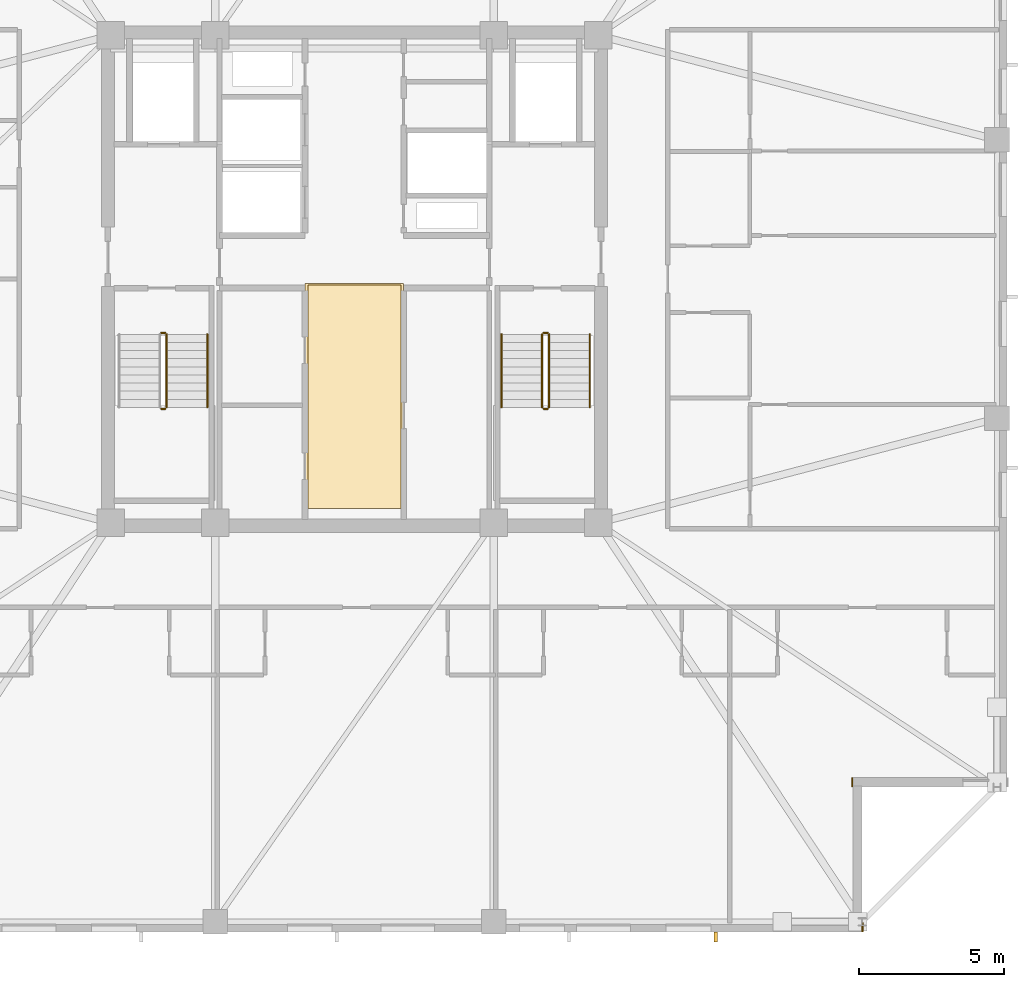
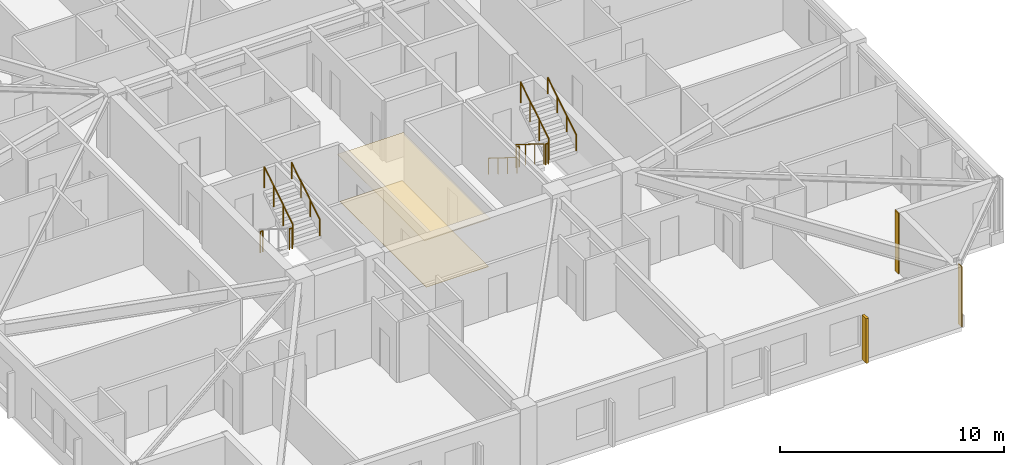
# One storey, part 14 of 17: 10 railings, 4 coverings, 1 shading device.
"""IFC4 building model written with IfcOpenShell, lengths in metres."""

from ifc_helpers import new_model, si_unit, direction, frame, frame_2d, origin, origin_2d, place, context, subcontext, project, spatial, polyline, rectangle, circle, outline, extrude, material, layer, layer_set, type_object, element, save


model = new_model("IFC4")

# Units and contexts
model_context = context("Model", 3, precision=1e-05, world=origin(), true_north=direction((0.0, 1.0)))
body_context = subcontext(model_context, "Body", "Model", "MODEL_VIEW")
ifc_project = project(units=[si_unit("LENGTHUNIT", "METRE"), si_unit("AREAUNIT", "SQUARE_METRE"), si_unit("VOLUMEUNIT", "CUBIC_METRE"), si_unit("PLANEANGLEUNIT", "RADIAN"), si_unit("MASSUNIT", "GRAM", prefix="KILO")], contexts=[model_context])

# Site, building, storey
site_placement = place(None, origin())
site = spatial("IfcSite", under=ifc_project, at=site_placement, CompositionType="ELEMENT")
building_placement = place(site_placement, origin())
building = spatial("IfcBuilding", under=site, at=building_placement, Name="Cairnveth Concourse Tower", CompositionType="ELEMENT")
storey_placement = place(building_placement, frame((0.0, 0.0, 213.0)))
storey = spatial("IfcBuildingStorey", under=building, at=storey_placement, Name="L58", CompositionType="ELEMENT", Elevation=213.0)

# Coverings
ifc_material_1 = material(Name="Acoustic Mineral Fibre Ceiling", Category="gypsum")
ifc_layer_1 = layer(ifc_material_1, 0.02490234375)
ifc_layer_set_1 = layer_set([ifc_layer_1], Name="Acoustic Mineral Fibre Ceiling")
covering_type_1 = type_object("IfcCoveringType", Name="ACOUSTIC MINERAL FIBRE CEILING 25", PredefinedType="CEILING", material=ifc_layer_set_1)
covering_1_placement = place(storey_placement, frame((0.0, 0.0, 2.55810546875)))
element("IfcCovering", 1, at=covering_1_placement, inside=storey, type_object=covering_type_1, Name="Lift Lobby Acoustic Ceiling L58", PredefinedType="CEILING", context=body_context, shape_type="SweptSolid", body=[
    extrude(outline(polyline([(50.300048828125, 31.10009765625), (53.699951171875, 31.10009765625), (53.699951171875, 38.85009765625), (50.300048828125, 38.85009765625), (50.300048828125, 31.10009765625)])), origin(), (0.0, 0.0, 1.0), 0.02490234375),
])
ifc_material_2 = material(Name="Dressed Melbourne Bluestone Cladding", Category="masonry")
ifc_layer_2 = layer(ifc_material_2, 0.050048828125)
ifc_layer_set_2 = layer_set([ifc_layer_2], Name="Dressed Melbourne Bluestone Cladding")
covering_type_2 = type_object("IfcCoveringType", Name="DRESSED BLUESTONE PLINTH CLADDING 50", PredefinedType="CLADDING", material=ifc_layer_set_2)
for number, where, z_axis, x_axis, name in (
    (2, (69.159912109375, 21.820068359375, 0.0), (0.0, 0.0, 1.0), (0.0, -1.0, 0.0), "Melbourne Bluestone Corner Quoin L58-868"),
    (3, (69.52001953125, 16.820068359375, 0.0), (0.0, 0.0, 1.0), (0.0, -1.0, 0.0), "Melbourne Bluestone Corner Quoin L58-869"),
):
    element("IfcCovering", number, at=place(storey_placement, frame(where, z_axis=z_axis, x_axis=x_axis)), inside=storey, type_object=covering_type_2, Name=name, PredefinedType="CLADDING", context=body_context, shape_type="SweptSolid", body=[
        extrude(rectangle(XDim=0.320068359375, YDim=0.050048828125, at=frame_2d((0.16015625, 0.0))), origin(), (0.0, 0.0, 1.0), 3.2900390625),
    ])

# Shading device
ifc_material_3 = material(Name="Architectural Bronze Anodised Aluminium 6063-T6", Category="aluminium")
shading_device_type = type_object("IfcShadingDeviceType", Name="GOTHIC BRONZE VERTICAL LANCET FIN", PredefinedType="USERDEFINED", material=ifc_material_3)
shading_device_placement = place(storey_placement, frame((64.447509765625, 16.324951171875, 0.030029296875), z_axis=(0.0, 0.0, 1.0), x_axis=(1.0, 0.0, 0.0)))
element("IfcShadingDevice", 4, at=shading_device_placement, inside=storey, type_object=shading_device_type, Name="Gothic Bronze Vertical Fin L58-6-1", ObjectType="VERTICAL FIN", PredefinedType="USERDEFINED", context=body_context, shape_type="SweptSolid", body=[
    extrude(rectangle(XDim=0.1201171875, YDim=0.360107421875, at=origin_2d()), origin(), (0.0, 0.0, 1.0), 2.43798828125),
])

# Railings
ifc_material_4 = material(Name="Steel Grade 350", Category="steel")
railing_type_1 = type_object("IfcRailingType", Name="STAIR GUARDRAIL 1150", PredefinedType="GUARDRAIL", material=ifc_material_4)
railing_1_placement = place(storey_placement, frame((45.340087890625, 34.530029296875, 1.75)))
element("IfcRailing", 5, at=railing_1_placement, inside=storey, type_object=railing_type_1, Name="L58 ST-1 stair guard 2", PredefinedType="GUARDRAIL", context=body_context, shape_type="SweptSolid", body=[
    extrude(circle(Radius=0.02392578125, at=origin_2d()), frame((0.0, 0.0, 1.1259765625), z_axis=(1.0, 0.0, 0.0), x_axis=(0.0, 1.0, 0.0)), (0.0, 0.0, 1.0), 0.139892578125),
    extrude(circle(Radius=0.02099609375, at=origin_2d()), origin(), (0.0, 0.0, 1.0), 1.101806640625),
    extrude(circle(Radius=0.02099609375, at=origin_2d()), frame((0.139892578125, 0.0, 0.0)), (0.0, 0.0, 1.0), 1.101806640625),
])
railing_2_placement = place(storey_placement, frame((45.530029296875, 34.580078125, 1.925048828125)))
element("IfcRailing", 6, at=railing_2_placement, inside=storey, type_object=railing_type_1, Name="L58 ST-1 stair guard 3", PredefinedType="GUARDRAIL", context=body_context, shape_type="SweptSolid", body=[
    extrude(circle(Radius=0.02392578125, at=origin_2d()), frame((0.0, 0.0, 1.1259765625), z_axis=(0.0, 0.848007534815, 0.529984170421), x_axis=(-1.0, 0.0, 0.0)), (0.0, 0.0, 1.0), 2.9716796875),
    extrude(circle(Radius=0.02099609375, at=origin_2d()), origin(), (0.0, 0.0, 1.0), 1.101806640625),
    extrude(circle(Radius=0.02099609375, at=origin_2d()), frame((0.0, 0.840087890625, 0.52490234375)), (0.0, 0.0, 1.0), 1.101806640625),
    extrude(circle(Radius=0.02099609375, at=origin_2d()), frame((0.0, 1.679931640625, 1.050048828125)), (0.0, 0.0, 1.0), 1.101806640625),
    extrude(circle(Radius=0.02099609375, at=origin_2d()), frame((0.0, 2.52001953125, 1.574951171875)), (0.0, 0.0, 1.0), 1.101806640625),
])
railing_3_placement = place(storey_placement, frame((45.340087890625, 37.14990234375, 0.0)))
element("IfcRailing", 7, at=railing_3_placement, inside=storey, type_object=railing_type_1, Name="L58 ST-1 stair guard 4", PredefinedType="GUARDRAIL", context=body_context, shape_type="SweptSolid", body=[
    extrude(circle(Radius=0.02392578125, at=origin_2d()), frame((0.0, 0.0, 1.1259765625), z_axis=(1.0, 0.0, 0.0), x_axis=(0.0, 1.0, 0.0)), (0.0, 0.0, 1.0), 0.139892578125),
    extrude(circle(Radius=0.02099609375, at=origin_2d()), origin(), (0.0, 0.0, 1.0), 1.101806640625),
    extrude(circle(Radius=0.02099609375, at=origin_2d()), frame((0.139892578125, 0.0, 0.0)), (0.0, 0.0, 1.0), 1.101806640625),
])
railing_4_placement = place(storey_placement, frame((58.469970703125, 37.10009765625, 0.175048828125)))
element("IfcRailing", 8, at=railing_4_placement, inside=storey, type_object=railing_type_1, Name="L58 ST-2 stair guard 1", PredefinedType="GUARDRAIL", context=body_context, shape_type="SweptSolid", body=[
    extrude(circle(Radius=0.02392578125, at=origin_2d()), frame((0.0, 0.0, 1.1259765625), z_axis=(0.0, -0.848007534815, 0.529984170421), x_axis=(1.0, 0.0, 0.0)), (0.0, 0.0, 1.0), 2.9716796875),
    extrude(circle(Radius=0.02099609375, at=origin_2d()), origin(), (0.0, 0.0, 1.0), 1.101806640625),
    extrude(circle(Radius=0.02099609375, at=origin_2d()), frame((0.0, -0.840087890625, 0.52490234375)), (0.0, 0.0, 1.0), 1.101806640625),
    extrude(circle(Radius=0.02099609375, at=origin_2d()), frame((0.0, -1.679931640625, 1.050048828125)), (0.0, 0.0, 1.0), 1.101806640625),
    extrude(circle(Radius=0.02099609375, at=origin_2d()), frame((0.0, -2.52001953125, 1.574951171875)), (0.0, 0.0, 1.0), 1.101806640625),
])
railing_5_placement = place(storey_placement, frame((58.52001953125, 34.530029296875, 1.75)))
element("IfcRailing", 9, at=railing_5_placement, inside=storey, type_object=railing_type_1, Name="L58 ST-2 stair guard 2", PredefinedType="GUARDRAIL", context=body_context, shape_type="SweptSolid", body=[
    extrude(circle(Radius=0.02392578125, at=origin_2d()), frame((0.0, 0.0, 1.1259765625), z_axis=(1.0, 0.0, 0.0), x_axis=(0.0, 1.0, 0.0)), (0.0, 0.0, 1.0), 0.139892578125),
    extrude(circle(Radius=0.02099609375, at=origin_2d()), origin(), (0.0, 0.0, 1.0), 1.101806640625),
    extrude(circle(Radius=0.02099609375, at=origin_2d()), frame((0.139892578125, 0.0, 0.0)), (0.0, 0.0, 1.0), 1.101806640625),
])
railing_6_placement = place(storey_placement, frame((58.7099609375, 34.580078125, 1.925048828125)))
element("IfcRailing", 10, at=railing_6_placement, inside=storey, type_object=railing_type_1, Name="L58 ST-2 stair guard 3", PredefinedType="GUARDRAIL", context=body_context, shape_type="SweptSolid", body=[
    extrude(circle(Radius=0.02392578125, at=origin_2d()), frame((0.0, 0.0, 1.1259765625), z_axis=(0.0, 0.848007534815, 0.529984170421), x_axis=(-1.0, 0.0, 0.0)), (0.0, 0.0, 1.0), 2.9716796875),
    extrude(circle(Radius=0.02099609375, at=origin_2d()), origin(), (0.0, 0.0, 1.0), 1.101806640625),
    extrude(circle(Radius=0.02099609375, at=origin_2d()), frame((0.0, 0.840087890625, 0.52490234375)), (0.0, 0.0, 1.0), 1.101806640625),
    extrude(circle(Radius=0.02099609375, at=origin_2d()), frame((0.0, 1.679931640625, 1.050048828125)), (0.0, 0.0, 1.0), 1.101806640625),
    extrude(circle(Radius=0.02099609375, at=origin_2d()), frame((0.0, 2.52001953125, 1.574951171875)), (0.0, 0.0, 1.0), 1.101806640625),
])
railing_7_placement = place(storey_placement, frame((58.52001953125, 37.14990234375, 0.0)))
element("IfcRailing", 11, at=railing_7_placement, inside=storey, type_object=railing_type_1, Name="L58 ST-2 stair guard 4", PredefinedType="GUARDRAIL", context=body_context, shape_type="SweptSolid", body=[
    extrude(circle(Radius=0.02392578125, at=origin_2d()), frame((0.0, 0.0, 1.1259765625), z_axis=(1.0, 0.0, 0.0), x_axis=(0.0, 1.0, 0.0)), (0.0, 0.0, 1.0), 0.139892578125),
    extrude(circle(Radius=0.02099609375, at=origin_2d()), origin(), (0.0, 0.0, 1.0), 1.101806640625),
    extrude(circle(Radius=0.02099609375, at=origin_2d()), frame((0.139892578125, 0.0, 0.0)), (0.0, 0.0, 1.0), 1.101806640625),
])
railing_type_2 = type_object("IfcRailingType", Name="STAIR WALL HANDRAIL 900", PredefinedType="HANDRAIL", material=ifc_material_4)
railing_8_placement = place(storey_placement, frame((46.929931640625, 34.580078125, 1.925048828125)))
element("IfcRailing", 12, at=railing_8_placement, inside=storey, type_object=railing_type_2, Name="L58 ST-1 stair handrail 2", PredefinedType="HANDRAIL", context=body_context, shape_type="SweptSolid", body=[
    extrude(circle(Radius=0.02392578125, at=origin_2d()), frame((0.0, 0.0, 0.8759765625), z_axis=(0.0, 0.848007534815, 0.529984170421), x_axis=(-1.0, 0.0, 0.0)), (0.0, 0.0, 1.0), 2.9716796875),
    extrude(circle(Radius=0.02099609375, at=origin_2d()), origin(), (0.0, 0.0, 1.0), 0.851806640625),
    extrude(circle(Radius=0.02099609375, at=origin_2d()), frame((0.0, 0.840087890625, 0.52490234375)), (0.0, 0.0, 1.0), 0.851806640625),
    extrude(circle(Radius=0.02099609375, at=origin_2d()), frame((0.0, 1.679931640625, 1.050048828125)), (0.0, 0.0, 1.0), 0.851806640625),
    extrude(circle(Radius=0.02099609375, at=origin_2d()), frame((0.0, 2.52001953125, 1.574951171875)), (0.0, 0.0, 1.0), 0.851806640625),
])
railing_9_placement = place(storey_placement, frame((57.070068359375, 37.10009765625, 0.175048828125)))
element("IfcRailing", 13, at=railing_9_placement, inside=storey, type_object=railing_type_2, Name="L58 ST-2 stair handrail 1", PredefinedType="HANDRAIL", context=body_context, shape_type="SweptSolid", body=[
    extrude(circle(Radius=0.02392578125, at=origin_2d()), frame((0.0, 0.0, 0.8759765625), z_axis=(0.0, -0.848007534815, 0.529984170421), x_axis=(1.0, 0.0, 0.0)), (0.0, 0.0, 1.0), 2.9716796875),
    extrude(circle(Radius=0.02099609375, at=origin_2d()), origin(), (0.0, 0.0, 1.0), 0.851806640625),
    extrude(circle(Radius=0.02099609375, at=origin_2d()), frame((0.0, -0.840087890625, 0.52490234375)), (0.0, 0.0, 1.0), 0.851806640625),
    extrude(circle(Radius=0.02099609375, at=origin_2d()), frame((0.0, -1.679931640625, 1.050048828125)), (0.0, 0.0, 1.0), 0.851806640625),
    extrude(circle(Radius=0.02099609375, at=origin_2d()), frame((0.0, -2.52001953125, 1.574951171875)), (0.0, 0.0, 1.0), 0.851806640625),
])
railing_10_placement = place(storey_placement, frame((60.110107421875, 34.580078125, 1.925048828125)))
element("IfcRailing", 14, at=railing_10_placement, inside=storey, type_object=railing_type_2, Name="L58 ST-2 stair handrail 2", PredefinedType="HANDRAIL", context=body_context, shape_type="SweptSolid", body=[
    extrude(circle(Radius=0.02392578125, at=origin_2d()), frame((0.0, 0.0, 0.8759765625), z_axis=(0.0, 0.848007534815, 0.529984170421), x_axis=(-1.0, 0.0, 0.0)), (0.0, 0.0, 1.0), 2.9716796875),
    extrude(circle(Radius=0.02099609375, at=origin_2d()), origin(), (0.0, 0.0, 1.0), 0.851806640625),
    extrude(circle(Radius=0.02099609375, at=origin_2d()), frame((0.0, 0.840087890625, 0.52490234375)), (0.0, 0.0, 1.0), 0.851806640625),
    extrude(circle(Radius=0.02099609375, at=origin_2d()), frame((0.0, 1.679931640625, 1.050048828125)), (0.0, 0.0, 1.0), 0.851806640625),
    extrude(circle(Radius=0.02099609375, at=origin_2d()), frame((0.0, 2.52001953125, 1.574951171875)), (0.0, 0.0, 1.0), 0.851806640625),
])

# Covering
ifc_material_5 = material(Name="Vitrified Stoneware Tile Flooring", Category="masonry")
ifc_layer_3 = layer(ifc_material_5, 0.02001953125)
ifc_layer_set_3 = layer_set([ifc_layer_3], Name="Vitrified Stoneware Tile Flooring")
covering_type_3 = type_object("IfcCoveringType", Name="VITRIFIED STONEWARE LOBBY FLOORING 20", PredefinedType="FLOORING", material=ifc_layer_set_3)
covering_2_placement = place(storey_placement, origin())
element("IfcCovering", 15, at=covering_2_placement, inside=storey, type_object=covering_type_3, Name="Lift Lobby Stoneware Flooring L58", PredefinedType="FLOORING", context=body_context, shape_type="SweptSolid", body=[
    extrude(outline(polyline([(50.39990234375, 31.10009765625), (53.60009765625, 31.10009765625), (53.60009765625, 38.800048828125), (50.39990234375, 38.800048828125), (50.39990234375, 31.10009765625)])), origin(), (0.0, 0.0, 1.0), 0.02001953125),
])

save(model, "model.ifc")
